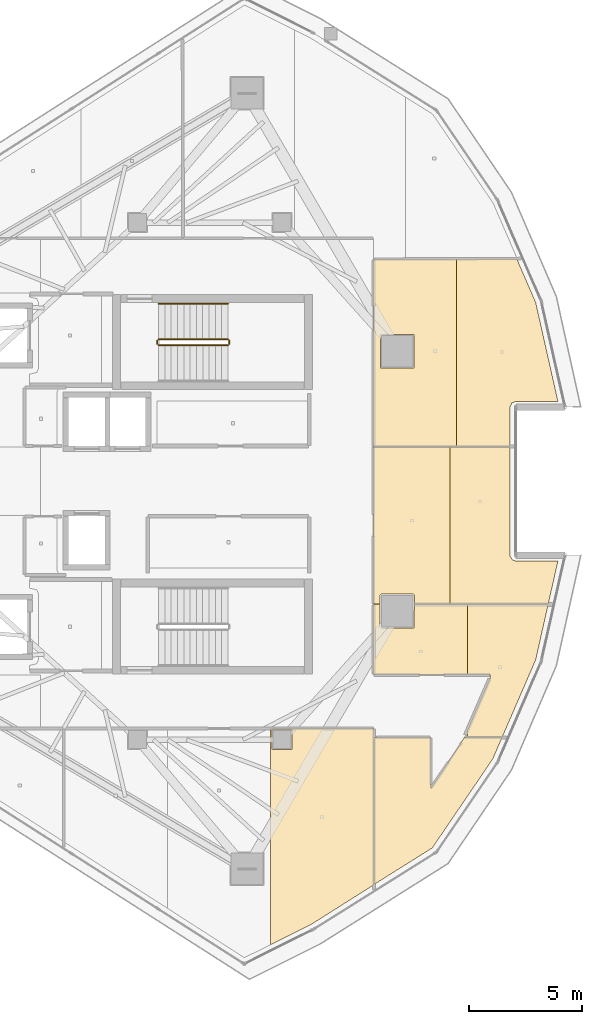
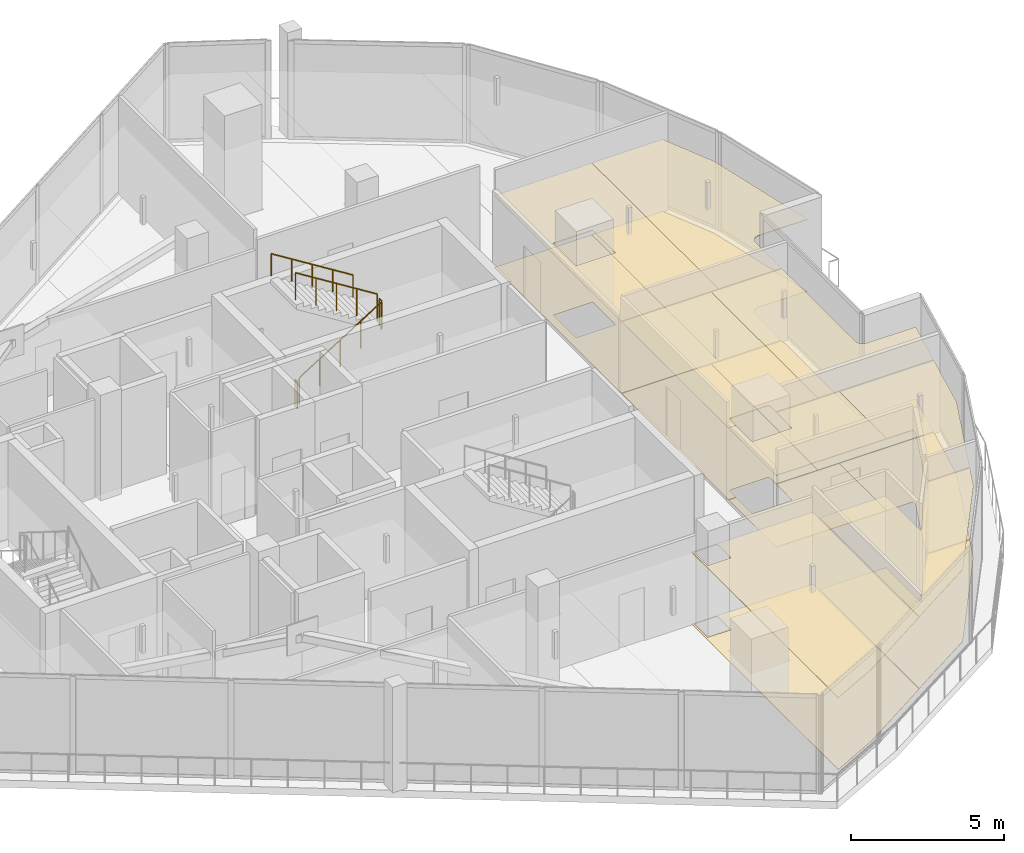
# One storey, part 24 of 25: 16 coverings, 5 railings.
"""IFC4 building model written with IfcOpenShell, lengths in metres."""

from ifc_helpers import new_model, si_unit, direction, frame, origin, origin_2d, place, context, subcontext, project, spatial, polyline, circle, outline, extrude, material, layer, layer_set, type_object, element, save


model = new_model("IFC4")

# Units and contexts
model_context = context("Model", 3, precision=1e-05, world=origin(), true_north=direction((0.0, 1.0)))
body_context = subcontext(model_context, "Body", "Model", "MODEL_VIEW")
ifc_project = project(units=[si_unit("LENGTHUNIT", "METRE"), si_unit("AREAUNIT", "SQUARE_METRE"), si_unit("VOLUMEUNIT", "CUBIC_METRE"), si_unit("PLANEANGLEUNIT", "RADIAN"), si_unit("MASSUNIT", "GRAM", prefix="KILO")], contexts=[model_context])

# Site, building, storey
site_placement = place(None, origin())
site = spatial("IfcSite", under=ifc_project, at=site_placement, CompositionType="ELEMENT")
building_placement = place(site_placement, origin())
building = spatial("IfcBuilding", under=site, at=building_placement, Name="Qorvath Tower", CompositionType="ELEMENT")
storey_placement = place(building_placement, frame((0.0, 0.0, 314.39990234375)))
storey = spatial("IfcBuildingStorey", under=building, at=storey_placement, Name="L73", CompositionType="ELEMENT", Elevation=314.39990234375)

# Coverings
ifc_material_1 = material(Name="Acoustic mineral fibre ceiling tile", Category="gypsum")
ifc_layer_1 = layer(ifc_material_1, 0.030029296875)
ifc_layer_set_1 = layer_set([ifc_layer_1], Name="COV-CEIL")
covering_type_1 = type_object("IfcCoveringType", Name="COV-CEIL", PredefinedType="CEILING", material=ifc_layer_set_1)
covering_1_placement = place(storey_placement, frame((0.0, 0.0, 2.85009765625)))
element("IfcCovering", 1, at=covering_1_placement, inside=storey, type_object=covering_type_1, Name="L73 Suspended Acoustic Ceiling 021", PredefinedType="CEILING", context=body_context, shape_type="SweptSolid", body=[
    extrude(outline(polyline([(-17.707275390625, -10.962890625), (-17.707275390625, -20.53125), (-15.93212890625, -19.650146484375), (-13.135009765625, -17.884765625), (-13.135009765625, -10.962890625), (-17.707275390625, -10.962890625)]), holes=[polyline([(-17.642333984375, -11.892333984375), (-17.642333984375, -11.007568359375), (-16.757568359375, -11.007568359375), (-16.757568359375, -11.892333984375), (-17.642333984375, -11.892333984375)])]), origin(), (0.0, 0.0, 1.0), 0.030029296875),
])
covering_2_placement = place(storey_placement, frame((0.0, 0.0, 2.85009765625)))
element("IfcCovering", 2, at=covering_2_placement, inside=storey, type_object=covering_type_1, Name="L73 Suspended Acoustic Ceiling 022", PredefinedType="CEILING", context=body_context, shape_type="SweptSolid", body=[
    extrude(outline(polyline([(-13.116943359375, -17.86083984375), (-10.541748046875, -16.245849609375), (-7.866943359375, -12.309814453125), (-7.453125, -11.35498046875), (-9.122802734375, -11.35498046875), (-10.607421875, -13.613525390625), (-10.613037109375, -11.35498046875), (-13.116943359375, -11.35498046875), (-13.116943359375, -17.86083984375)])), origin(), (0.0, 0.0, 1.0), 0.030029296875),
])
covering_3_placement = place(storey_placement, frame((0.0, 0.0, 2.85009765625)))
element("IfcCovering", 3, at=covering_3_placement, inside=storey, type_object=covering_type_1, Name="L73 Suspended Acoustic Ceiling 023", PredefinedType="CEILING", context=body_context, shape_type="SweptSolid", body=[
    extrude(outline(polyline([(-8.973876953125, -8.56689453125), (-8.973876953125, -5.465576171875), (-11.3369140625, -5.465576171875), (-11.3544921875, -6.500244140625), (-12.796875, -6.517822265625), (-12.856689453125, -6.4580078125), (-12.856689453125, -5.465576171875), (-13.136962890625, -5.465576171875), (-13.136962890625, -8.56689453125), (-8.973876953125, -8.56689453125)])), origin(), (0.0, 0.0, 1.0), 0.030029296875),
])
covering_4_placement = place(storey_placement, frame((0.0, 0.0, 2.85009765625)))
element("IfcCovering", 4, at=covering_4_placement, inside=storey, type_object=covering_type_1, Name="L73 Suspended Acoustic Ceiling 024", PredefinedType="CEILING", context=body_context, shape_type="SweptSolid", body=[
    extrude(outline(polyline([(-7.9873046875, -8.736328125), (-8.973876953125, -11.01123046875), (-8.973876953125, -11.3369140625), (-7.4453125, -11.3369140625), (-5.96240234375, -7.916748046875), (-5.410888671875, -5.465576171875), (-8.973876953125, -5.465576171875), (-8.973876953125, -8.56689453125), (-7.991943359375, -8.56689453125), (-7.9873046875, -8.736328125)])), origin(), (0.0, 0.0, 1.0), 0.030029296875),
])
covering_5_placement = place(storey_placement, frame((0.0, 0.0, 2.85009765625)))
element("IfcCovering", 5, at=covering_5_placement, inside=storey, type_object=covering_type_1, Name="L73 Suspended Acoustic Ceiling 025", PredefinedType="CEILING", context=body_context, shape_type="SweptSolid", body=[
    extrude(outline(polyline([(-9.763671875, -5.44775390625), (-9.763671875, 1.5244140625), (-13.136962890625, 1.5244140625), (-13.136962890625, -5.44775390625), (-12.856689453125, -5.44775390625), (-12.856689453125, -5.057861328125), (-12.796875, -4.997802734375), (-11.396728515625, -4.997802734375), (-11.3369140625, -5.057861328125), (-11.3369140625, -5.44775390625), (-9.763671875, -5.44775390625)])), origin(), (0.0, 0.0, 1.0), 0.030029296875),
])
covering_6_placement = place(storey_placement, frame((0.0, 0.0, 2.85009765625)))
element("IfcCovering", 6, at=covering_6_placement, inside=storey, type_object=covering_type_1, Name="L73 Suspended Acoustic Ceiling 026", PredefinedType="CEILING", context=body_context, shape_type="SweptSolid", body=[
    extrude(outline(polyline([(-7.00537109375, -3.4736328125), (-7.092529296875, -3.32666015625), (-7.097412109375, 1.5244140625), (-9.763671875, 1.5244140625), (-9.763671875, -5.44775390625), (-5.40673828125, -5.44775390625), (-4.975830078125, -3.53271484375), (-6.866943359375, -3.531494140625), (-7.00537109375, -3.4736328125)])), origin(), (0.0, 0.0, 1.0), 0.030029296875),
])
covering_7_placement = place(storey_placement, frame((0.0, 0.0, 2.85009765625)))
element("IfcCovering", 7, at=covering_7_placement, inside=storey, type_object=covering_type_1, Name="L73 Suspended Acoustic Ceiling 027", PredefinedType="CEILING", context=body_context, shape_type="SweptSolid", body=[
    extrude(outline(polyline([(-9.46484375, 1.54248046875), (-9.46484375, 9.83154296875), (-13.136962890625, 9.8154296875), (-13.136962890625, 1.54248046875), (-9.46484375, 1.54248046875)]), holes=[polyline([(-12.839111328125, 5.015380859375), (-12.839111328125, 6.500244140625), (-11.3544921875, 6.500244140625), (-11.3544921875, 5.015380859375), (-12.839111328125, 5.015380859375)])]), origin(), (0.0, 0.0, 1.0), 0.030029296875),
])
covering_8_placement = place(storey_placement, frame((0.0, 0.0, 2.85009765625)))
element("IfcCovering", 8, at=covering_8_placement, inside=storey, type_object=covering_type_1, Name="L73 Suspended Acoustic Ceiling 028", PredefinedType="CEILING", context=body_context, shape_type="SweptSolid", body=[
    extrude(outline(polyline([(-6.84423828125, 3.532470703125), (-4.975830078125, 3.53271484375), (-5.96240234375, 7.916748046875), (-6.797607421875, 9.84326171875), (-9.46484375, 9.83154296875), (-9.46484375, 1.54248046875), (-7.097412109375, 1.54248046875), (-7.097412109375, 3.27783203125), (-7.023681640625, 3.45654296875), (-6.84423828125, 3.532470703125)])), origin(), (0.0, 0.0, 1.0), 0.030029296875),
])
ifc_material_2 = material(Name="Low-VOC modular carpet tile", Category="textile")
ifc_layer_2 = layer(ifc_material_2, 0.014892578125)
ifc_layer_set_2 = layer_set([ifc_layer_2], Name="COV-FLOOR-CPT")
covering_type_2 = type_object("IfcCoveringType", Name="COV-FLOOR-CPT", PredefinedType="FLOORING", material=ifc_layer_set_2)
covering_9_placement = place(storey_placement, origin())
element("IfcCovering", 9, at=covering_9_placement, inside=storey, type_object=covering_type_2, Name="L73 Floor Finish 021", PredefinedType="FLOORING", context=body_context, shape_type="SweptSolid", body=[
    extrude(outline(polyline([(-17.707275390625, -10.962890625), (-17.707275390625, -20.53125), (-15.93212890625, -19.650146484375), (-13.135009765625, -17.884765625), (-13.135009765625, -10.962890625), (-17.707275390625, -10.962890625)]), holes=[polyline([(-17.642333984375, -11.892333984375), (-17.642333984375, -11.007568359375), (-16.757568359375, -11.007568359375), (-16.757568359375, -11.892333984375), (-17.642333984375, -11.892333984375)])]), origin(), (0.0, 0.0, 1.0), 0.01513671875),
])
covering_10_placement = place(storey_placement, origin())
element("IfcCovering", 10, at=covering_10_placement, inside=storey, type_object=covering_type_2, Name="L73 Floor Finish 022", PredefinedType="FLOORING", context=body_context, shape_type="SweptSolid", body=[
    extrude(outline(polyline([(-13.116943359375, -17.86083984375), (-10.541748046875, -16.245849609375), (-7.866943359375, -12.309814453125), (-7.453125, -11.35498046875), (-9.122802734375, -11.35498046875), (-10.607421875, -13.613525390625), (-10.613037109375, -11.35498046875), (-13.116943359375, -11.35498046875), (-13.116943359375, -17.86083984375)])), origin(), (0.0, 0.0, 1.0), 0.01513671875),
])
covering_11_placement = place(storey_placement, origin())
element("IfcCovering", 11, at=covering_11_placement, inside=storey, type_object=covering_type_2, Name="L73 Floor Finish 023", PredefinedType="FLOORING", context=body_context, shape_type="SweptSolid", body=[
    extrude(outline(polyline([(-8.973876953125, -8.56689453125), (-8.973876953125, -5.465576171875), (-11.3369140625, -5.465576171875), (-11.3544921875, -6.500244140625), (-12.796875, -6.517822265625), (-12.856689453125, -6.4580078125), (-12.856689453125, -5.465576171875), (-13.136962890625, -5.465576171875), (-13.136962890625, -8.56689453125), (-8.973876953125, -8.56689453125)])), origin(), (0.0, 0.0, 1.0), 0.01513671875),
])
covering_12_placement = place(storey_placement, origin())
element("IfcCovering", 12, at=covering_12_placement, inside=storey, type_object=covering_type_2, Name="L73 Floor Finish 024", PredefinedType="FLOORING", context=body_context, shape_type="SweptSolid", body=[
    extrude(outline(polyline([(-7.9873046875, -8.736328125), (-8.973876953125, -11.01123046875), (-8.973876953125, -11.3369140625), (-7.4453125, -11.3369140625), (-5.96240234375, -7.916748046875), (-5.410888671875, -5.465576171875), (-8.973876953125, -5.465576171875), (-8.973876953125, -8.56689453125), (-7.991943359375, -8.56689453125), (-7.9873046875, -8.736328125)])), origin(), (0.0, 0.0, 1.0), 0.01513671875),
])
covering_13_placement = place(storey_placement, origin())
element("IfcCovering", 13, at=covering_13_placement, inside=storey, type_object=covering_type_2, Name="L73 Floor Finish 025", PredefinedType="FLOORING", context=body_context, shape_type="SweptSolid", body=[
    extrude(outline(polyline([(-9.763671875, -5.44775390625), (-9.763671875, 1.5244140625), (-13.136962890625, 1.5244140625), (-13.136962890625, -5.44775390625), (-12.856689453125, -5.44775390625), (-12.856689453125, -5.057861328125), (-12.796875, -4.997802734375), (-11.396728515625, -4.997802734375), (-11.3369140625, -5.057861328125), (-11.3369140625, -5.44775390625), (-9.763671875, -5.44775390625)])), origin(), (0.0, 0.0, 1.0), 0.01513671875),
])
covering_14_placement = place(storey_placement, origin())
element("IfcCovering", 14, at=covering_14_placement, inside=storey, type_object=covering_type_2, Name="L73 Floor Finish 026", PredefinedType="FLOORING", context=body_context, shape_type="SweptSolid", body=[
    extrude(outline(polyline([(-7.00537109375, -3.4736328125), (-7.092529296875, -3.32666015625), (-7.097412109375, 1.5244140625), (-9.763671875, 1.5244140625), (-9.763671875, -5.44775390625), (-5.40673828125, -5.44775390625), (-4.975830078125, -3.53271484375), (-6.866943359375, -3.531494140625), (-7.00537109375, -3.4736328125)])), origin(), (0.0, 0.0, 1.0), 0.01513671875),
])
covering_15_placement = place(storey_placement, origin())
element("IfcCovering", 15, at=covering_15_placement, inside=storey, type_object=covering_type_2, Name="L73 Floor Finish 027", PredefinedType="FLOORING", context=body_context, shape_type="SweptSolid", body=[
    extrude(outline(polyline([(-9.46484375, 1.54248046875), (-9.46484375, 9.83154296875), (-13.136962890625, 9.8154296875), (-13.136962890625, 1.54248046875), (-9.46484375, 1.54248046875)]), holes=[polyline([(-12.839111328125, 5.015380859375), (-12.839111328125, 6.500244140625), (-11.3544921875, 6.500244140625), (-11.3544921875, 5.015380859375), (-12.839111328125, 5.015380859375)])]), origin(), (0.0, 0.0, 1.0), 0.01513671875),
])
covering_16_placement = place(storey_placement, origin())
element("IfcCovering", 16, at=covering_16_placement, inside=storey, type_object=covering_type_2, Name="L73 Floor Finish 028", PredefinedType="FLOORING", context=body_context, shape_type="SweptSolid", body=[
    extrude(outline(polyline([(-6.84423828125, 3.532470703125), (-4.975830078125, 3.53271484375), (-5.96240234375, 7.916748046875), (-6.797607421875, 9.84326171875), (-9.46484375, 9.83154296875), (-9.46484375, 1.54248046875), (-7.097412109375, 1.54248046875), (-7.097412109375, 3.27783203125), (-7.023681640625, 3.45654296875), (-6.84423828125, 3.532470703125)])), origin(), (0.0, 0.0, 1.0), 0.01513671875),
])

# Railings
ifc_material_3 = material(Name="Painted galvanised steel", Category="steel")
railing_type_1 = type_object("IfcRailingType", Name="RL-STR-GRD", PredefinedType="GUARDRAIL", material=ifc_material_3)
railing_1_placement = place(storey_placement, frame((-22.669921875, 6.030029296875, 0.175048828125)))
element("IfcRailing", 17, at=railing_1_placement, inside=storey, type_object=railing_type_1, Name="L73 TS1 stair guard 1", PredefinedType="GUARDRAIL", context=body_context, shape_type="SweptSolid", body=[
    extrude(circle(Radius=0.02392578125, at=origin_2d()), frame((0.0, 0.0, 1.076171875), z_axis=(0.847979421464, 0.0, 0.530029150871), x_axis=(0.0, 1.0, 0.0)), (0.0, 0.0, 1.0), 3.632080078125),
    extrude(circle(Radius=0.02099609375, at=origin_2d()), origin(), (0.0, 0.0, 1.0), 1.052001953125),
    extrude(circle(Radius=0.02099609375, at=origin_2d()), frame((0.77001953125, 0.0, 0.481201171875)), (0.0, 0.0, 1.0), 1.052001953125),
    extrude(circle(Radius=0.02099609375, at=origin_2d()), frame((1.5400390625, 0.0, 0.96240234375)), (0.0, 0.0, 1.0), 1.052001953125),
    extrude(circle(Radius=0.02099609375, at=origin_2d()), frame((2.309814453125, 0.0, 1.44384765625)), (0.0, 0.0, 1.0), 1.052001953125),
    extrude(circle(Radius=0.02099609375, at=origin_2d()), frame((3.079833984375, 0.0, 1.925048828125)), (0.0, 0.0, 1.0), 1.052001953125),
])
railing_2_placement = place(storey_placement, frame((-19.5400390625, 6.080078125, 2.10009765625)))
element("IfcRailing", 18, at=railing_2_placement, inside=storey, type_object=railing_type_1, Name="L73 TS1 stair guard 2", PredefinedType="GUARDRAIL", context=body_context, shape_type="SweptSolid", body=[
    extrude(circle(Radius=0.02392578125, at=origin_2d()), frame((0.0, 0.0, 1.076171875), z_axis=(0.0, 1.0, 0.0), x_axis=(-1.0, 0.0, 0.0)), (0.0, 0.0, 1.0), 0.14990234375),
    extrude(circle(Radius=0.02099609375, at=origin_2d()), origin(), (0.0, 0.0, 1.0), 1.052001953125),
    extrude(circle(Radius=0.02099609375, at=origin_2d()), frame((0.0, 0.14990234375, 0.0)), (0.0, 0.0, 1.0), 1.052001953125),
])
railing_3_placement = place(storey_placement, frame((-19.590087890625, 6.280029296875, 2.275146484375)))
element("IfcRailing", 19, at=railing_3_placement, inside=storey, type_object=railing_type_1, Name="L73 TS1 stair guard 3", PredefinedType="GUARDRAIL", context=body_context, shape_type="SweptSolid", body=[
    extrude(circle(Radius=0.02392578125, at=origin_2d()), frame((0.0, 0.0, 1.076171875), z_axis=(-0.847979421464, 0.0, 0.530029150871), x_axis=(0.0, -1.0, 0.0)), (0.0, 0.0, 1.0), 3.632080078125),
    extrude(circle(Radius=0.02099609375, at=origin_2d()), origin(), (0.0, 0.0, 1.0), 1.052001953125),
    extrude(circle(Radius=0.02099609375, at=origin_2d()), frame((-0.77001953125, 0.0, 0.481201171875)), (0.0, 0.0, 1.0), 1.052001953125),
    extrude(circle(Radius=0.02099609375, at=origin_2d()), frame((-1.5400390625, 0.0, 0.96240234375)), (0.0, 0.0, 1.0), 1.052001953125),
    extrude(circle(Radius=0.02099609375, at=origin_2d()), frame((-2.309814453125, 0.0, 1.44384765625)), (0.0, 0.0, 1.0), 1.052001953125),
    extrude(circle(Radius=0.02099609375, at=origin_2d()), frame((-3.079833984375, 0.0, 1.925048828125)), (0.0, 0.0, 1.0), 1.052001953125),
])
railing_4_placement = place(storey_placement, frame((-22.719970703125, 6.080078125, 0.0)))
element("IfcRailing", 20, at=railing_4_placement, inside=storey, type_object=railing_type_1, Name="L73 TS1 stair guard 4", PredefinedType="GUARDRAIL", context=body_context, shape_type="SweptSolid", body=[
    extrude(circle(Radius=0.02392578125, at=origin_2d()), frame((0.0, 0.0, 1.076171875), z_axis=(0.0, 1.0, 0.0), x_axis=(-1.0, 0.0, 0.0)), (0.0, 0.0, 1.0), 0.14990234375),
    extrude(circle(Radius=0.02099609375, at=origin_2d()), origin(), (0.0, 0.0, 1.0), 1.052001953125),
    extrude(circle(Radius=0.02099609375, at=origin_2d()), frame((0.0, 0.14990234375, 0.0)), (0.0, 0.0, 1.0), 1.052001953125),
])
ifc_material_4 = material(Name="Brushed stainless steel AISI 304", Category="steel")
railing_type_2 = type_object("IfcRailingType", Name="RL-STR-HND", PredefinedType="HANDRAIL", material=ifc_material_4)
railing_5_placement = place(storey_placement, frame((-19.590087890625, 7.860107421875, 2.275146484375)))
element("IfcRailing", 21, at=railing_5_placement, inside=storey, type_object=railing_type_2, Name="L73 TS1 stair handrail 2", PredefinedType="HANDRAIL", context=body_context, shape_type="SweptSolid", body=[
    extrude(circle(Radius=0.02392578125, at=origin_2d()), frame((0.0, 0.0, 0.8759765625), z_axis=(-0.847979421464, 0.0, 0.530029150871), x_axis=(0.0, -1.0, 0.0)), (0.0, 0.0, 1.0), 3.632080078125),
    extrude(circle(Radius=0.02099609375, at=origin_2d()), origin(), (0.0, 0.0, 1.0), 0.851806640625),
    extrude(circle(Radius=0.02099609375, at=origin_2d()), frame((-0.77001953125, 0.0, 0.481201171875)), (0.0, 0.0, 1.0), 0.851806640625),
    extrude(circle(Radius=0.02099609375, at=origin_2d()), frame((-1.5400390625, 0.0, 0.96240234375)), (0.0, 0.0, 1.0), 0.851806640625),
    extrude(circle(Radius=0.02099609375, at=origin_2d()), frame((-2.309814453125, 0.0, 1.44384765625)), (0.0, 0.0, 1.0), 0.851806640625),
    extrude(circle(Radius=0.02099609375, at=origin_2d()), frame((-3.079833984375, 0.0, 1.925048828125)), (0.0, 0.0, 1.0), 0.851806640625),
])

save(model, "model.ifc")
